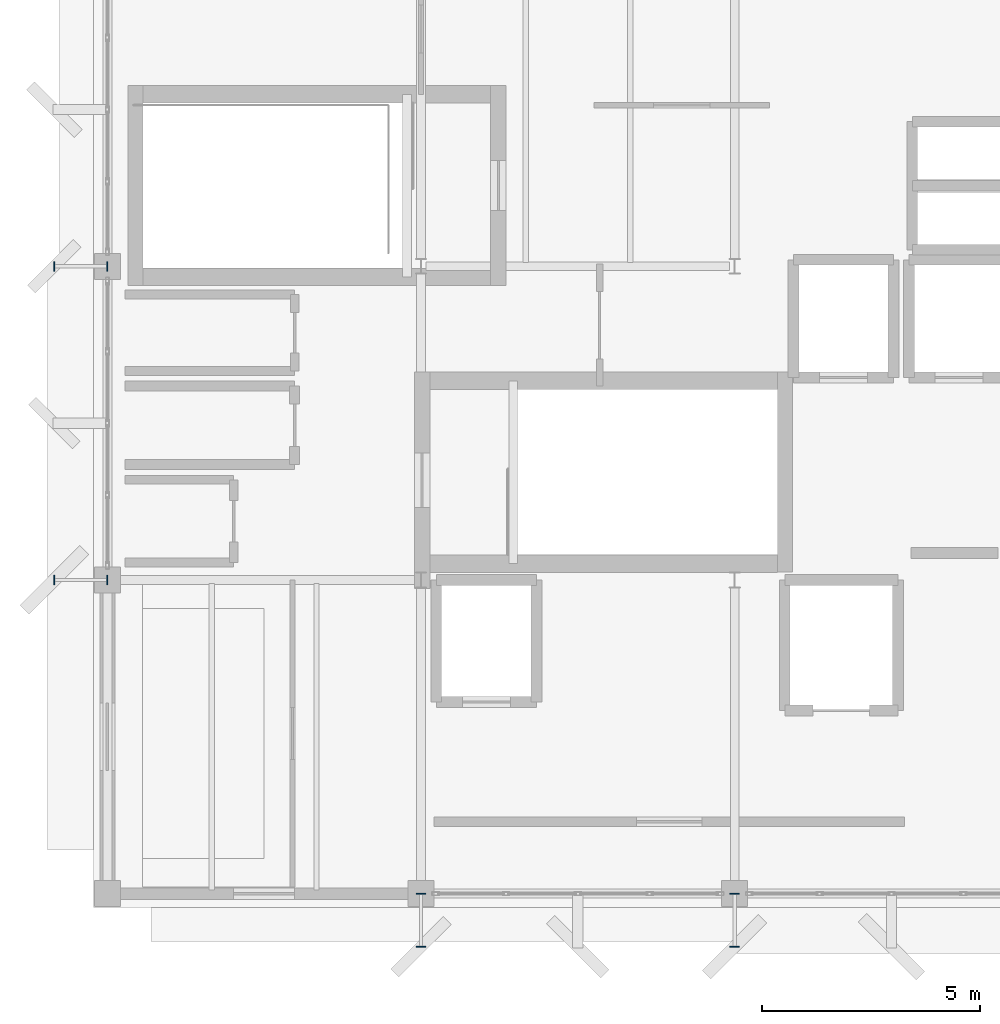
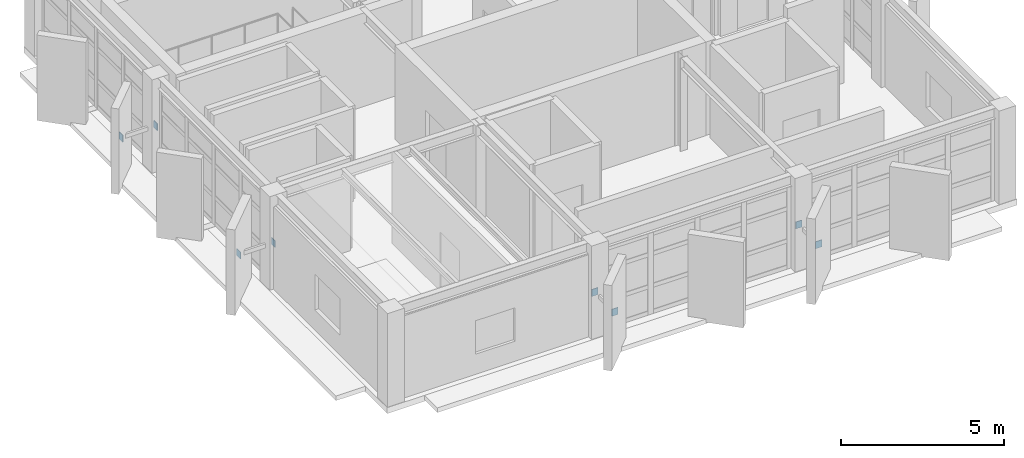
# One storey, part 11 of 13: 8 discrete accessories.
"""IFC4 building model written with IfcOpenShell, lengths in metres."""

from ifc_helpers import new_model, si_unit, direction, frame, origin, origin_2d, place, context, subcontext, project, spatial, rectangle, extrude, material, type_object, element, save


model = new_model("IFC4")

# Units and contexts
model_context = context("Model", 3, precision=1e-05, world=origin(), true_north=direction((0.0, 1.0)))
body_context = subcontext(model_context, "Body", "Model", "MODEL_VIEW")
ifc_project = project(units=[si_unit("LENGTHUNIT", "METRE"), si_unit("AREAUNIT", "SQUARE_METRE"), si_unit("VOLUMEUNIT", "CUBIC_METRE"), si_unit("PLANEANGLEUNIT", "RADIAN"), si_unit("MASSUNIT", "GRAM", prefix="KILO")], contexts=[model_context])

# Site, building, storey
site_placement = place(None, origin())
site = spatial("IfcSite", under=ifc_project, at=site_placement, CompositionType="ELEMENT")
building_placement = place(site_placement, origin())
building = spatial("IfcBuilding", under=site, at=building_placement, Name="Kandorven Conservatory and Botanical Research Centre", CompositionType="ELEMENT")
storey_placement = place(building_placement, frame((0.0, 0.0, 63.14990234375)))
storey = spatial("IfcBuildingStorey", under=building, at=storey_placement, Name="L16", CompositionType="ELEMENT", Elevation=63.14990234375)

# Discrete accessories
ifc_material = material(Name="Steel S355 (IS 2062 E350)", Category="steel")
discrete_accessory_type = type_object("IfcDiscreteAccessoryType", Name="SteelGussetPlate", PredefinedType="BRACKET", material=ifc_material)
for number, where, z_axis, x_axis, name in (
    (1, (13.199951171875, 6.0, 1.3701171875), (0.0, 0.0, 1.0), (1.0, 0.0, 0.0), "Welded steel strut end-plate GUS-01 #145A"),
    (2, (13.199951171875, 4.780029296875, 1.3701171875), (0.0, 0.0, 1.0), (1.0, 0.0, 0.0), "Welded steel strut end-plate GUS-01 #145B"),
    (3, (20.39990234375, 6.0, 1.3701171875), (0.0, 0.0, 1.0), (1.0, 0.0, 0.0), "Welded steel strut end-plate GUS-01 #147A"),
    (4, (20.39990234375, 4.780029296875, 1.3701171875), (0.0, 0.0, 1.0), (1.0, 0.0, 0.0), "Welded steel strut end-plate GUS-01 #147B"),
):
    element("IfcDiscreteAccessory", number, at=place(storey_placement, frame(where, z_axis=z_axis, x_axis=x_axis)), inside=storey, type_object=discrete_accessory_type, Name=name, PredefinedType="BRACKET", context=body_context, shape_type="SweptSolid", body=[
        extrude(rectangle(XDim=0.219970703125, YDim=0.02392578125, at=origin_2d()), origin(), (0.0, 0.0, 1.0), 0.260009765625),
    ])
for number, where, z_axis, x_axis, name in (
    (5, (6.0, 13.199951171875, 1.3701171875), (0.0, 0.0, 1.0), (1.0, 0.0, 0.0), "Welded steel strut end-plate GUS-01 #149A"),
    (6, (4.780029296875, 13.199951171875, 1.3701171875), (0.0, 0.0, 1.0), (1.0, 0.0, 0.0), "Welded steel strut end-plate GUS-01 #149B"),
    (7, (6.0, 20.39990234375, 1.3701171875), (0.0, 0.0, 1.0), (1.0, 0.0, 0.0), "Welded steel strut end-plate GUS-01 #151A"),
    (8, (4.780029296875, 20.39990234375, 1.3701171875), (0.0, 0.0, 1.0), (1.0, 0.0, 0.0), "Welded steel strut end-plate GUS-01 #151B"),
):
    element("IfcDiscreteAccessory", number, at=place(storey_placement, frame(where, z_axis=z_axis, x_axis=x_axis)), inside=storey, type_object=discrete_accessory_type, Name=name, PredefinedType="BRACKET", context=body_context, shape_type="SweptSolid", body=[
        extrude(rectangle(XDim=0.02392578125, YDim=0.219970703125, at=origin_2d()), origin(), (0.0, 0.0, 1.0), 0.260009765625),
    ])

save(model, "model.ifc")
